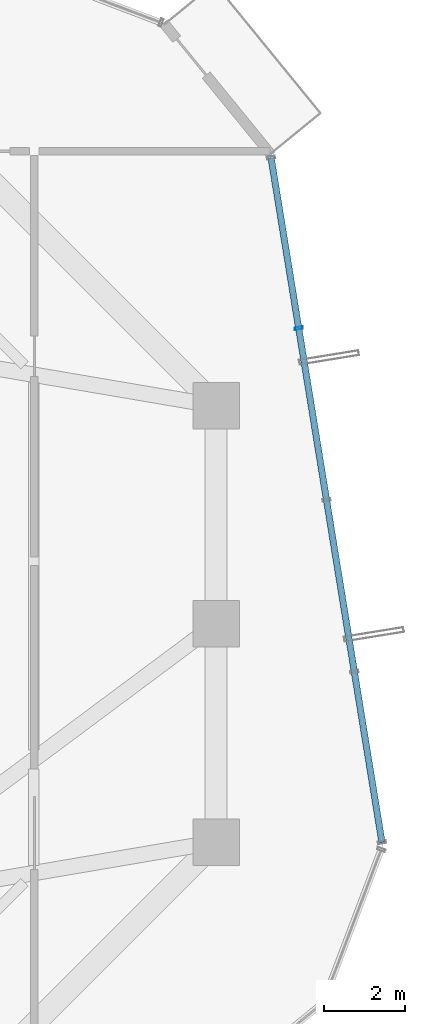
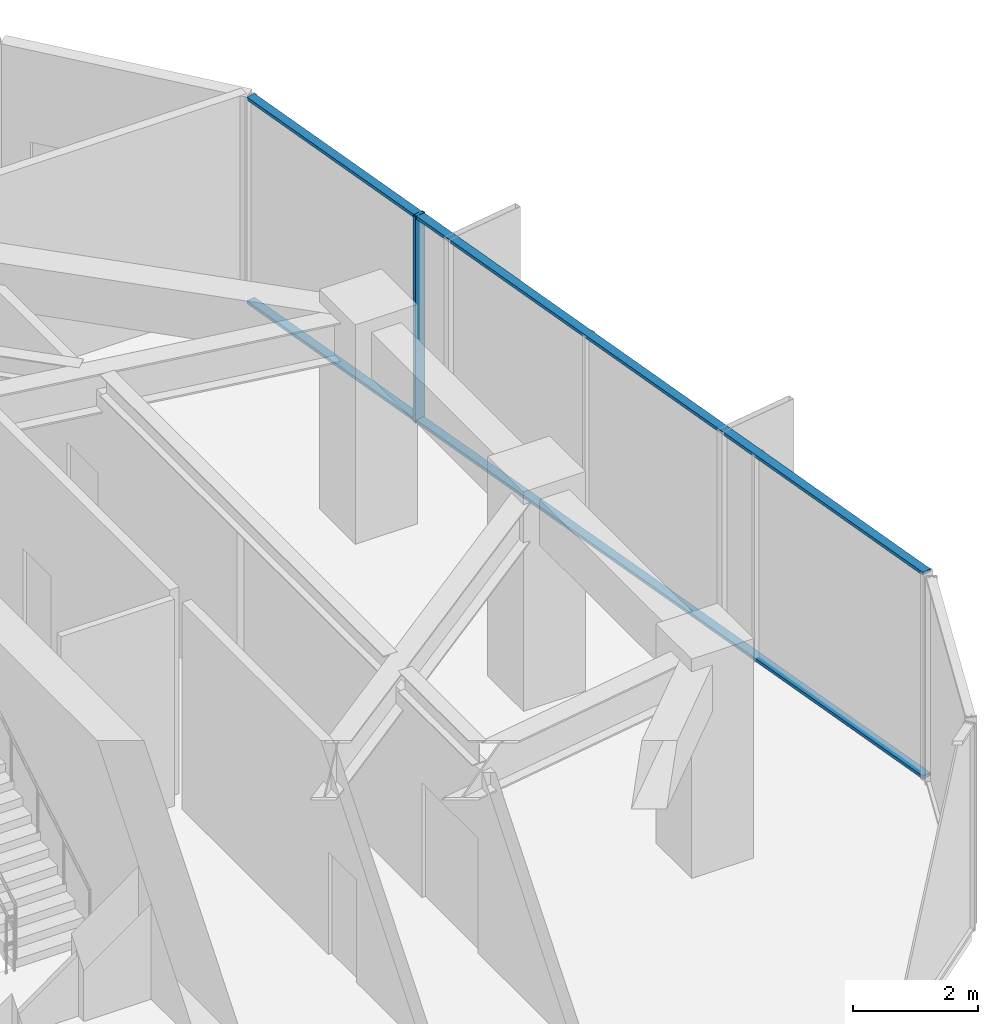
# One storey, part 14 of 26: 3 members, 1 element without a shape of its own.
"""IFC4 building model written with IfcOpenShell, lengths in metres."""

from ifc_helpers import new_model, si_unit, direction, frame, origin, origin_2d, place, context, subcontext, project, spatial, hollow_rectangle, extrude, source, transform, mapped, material, layer, layer_set, material_profile, profile_set, type_object, element, aggregate, save


model = new_model("IFC4")

# Units and contexts
model_context = context("Model", 3, precision=1e-05, world=origin(), true_north=direction((0.0, 1.0)))
body_context = subcontext(model_context, "Body", "Model", "MODEL_VIEW")
ifc_project = project(units=[si_unit("LENGTHUNIT", "METRE"), si_unit("AREAUNIT", "SQUARE_METRE"), si_unit("VOLUMEUNIT", "CUBIC_METRE"), si_unit("PLANEANGLEUNIT", "RADIAN"), si_unit("MASSUNIT", "GRAM", prefix="KILO")], contexts=[model_context])

# Site, building, storey
site_placement = place(None, origin())
site = spatial("IfcSite", under=ifc_project, at=site_placement, CompositionType="ELEMENT")
building_placement = place(site_placement, origin())
building = spatial("IfcBuilding", under=site, at=building_placement, Name="Veraguas Prism Commons", CompositionType="ELEMENT")
storey_placement = place(building_placement, frame((0.0, 0.0, 158.75)))
storey = spatial("IfcBuildingStorey", under=building, at=storey_placement, Name="L45", CompositionType="ELEMENT", Elevation=158.75)

# Curtain wall, members
ifc_material = material(Name="Anodised aluminium EN AW-6063 T6", Category="aluminium")
ifc_layer = layer(ifc_material, 0.199951171875, Name="Sky Lobby and Pool Acoustic Curtain Wall", Category="aluminium")
ifc_layer_set = layer_set([ifc_layer], Name="Anodised aluminium EN AW-6063 T6")
curtain_wall_type = type_object("IfcCurtainWallType", Name="Sky Lobby and Pool Acoustic Curtain Wall", PredefinedType="NOTDEFINED", material=ifc_layer_set)
curtain_wall_placement = place(storey_placement, origin())
curtain_wall = element("IfcCurtainWall", 1, at=curtain_wall_placement, inside=storey, type_object=curtain_wall_type, Name="Tower Facade Curtain Wall L45-F6", PredefinedType="NOTDEFINED")
ifc_material_profile_1 = material_profile(ifc_material, hollow_rectangle(XDim=0.06494140625, YDim=0.199951171875, WallThickness=0.00390625, at=origin_2d()), Name="AL65X200X4")
ifc_profile_set_1 = profile_set([ifc_material_profile_1], Name="Anodised aluminium EN AW-6063 T6")
member_type_1 = type_object("IfcMemberType", Name="Curtain Wall Mullion Heavy AL 65x200x4", PredefinedType="MULLION", material=ifc_profile_set_1)
shared_shape_1 = source(origin(), body_context, "Body", "SweptSolid", [
    extrude(hollow_rectangle(XDim=0.06494140625, YDim=0.199951171875, WallThickness=0.00390625, at=origin_2d()), origin(), (0.0, 0.0, 1.0), 4.050048828125),
])
member_1_placement = place(storey_placement, frame((42.246826171875, 31.320068359375, 0.0), z_axis=(0.0, 0.0, 1.0), x_axis=(-0.159877741935, 0.987136823158, 0.0)))
member_1 = element("IfcMember", 2, at=member_1_placement, type_object=member_type_1, Name="CW-SKY Mullion 4", PredefinedType="MULLION", context=body_context, shape_type="MappedRepresentation", body=[
    mapped(shared_shape_1, transform((0.0, 0.0, 0.0), scale=1.0)),
])
ifc_material_profile_2 = material_profile(ifc_material, hollow_rectangle(XDim=0.06005859375, YDim=0.159912109375, WallThickness=0.0029296875, at=origin_2d()), Name="AL60X160X3")
ifc_profile_set_2 = profile_set([ifc_material_profile_2], Name="Anodised aluminium EN AW-6063 T6")
member_type_2 = type_object("IfcMemberType", Name="Curtain Wall Transom Heavy AL 60x160x3", PredefinedType="USERDEFINED", material=ifc_profile_set_2)
shared_shape_2 = source(origin(), body_context, "Body", "SweptSolid", [
    extrude(hollow_rectangle(XDim=0.06005859375, YDim=0.159912109375, WallThickness=0.0029296875, at=origin_2d()), origin(), (0.0, 0.0, 1.0), 17.169677734375),
])
member_2_placement = place(storey_placement, frame((44.30810546875, 18.592529296875, 0.030029296875), z_axis=(-0.159868571925, 0.987138308299, 0.0), x_axis=(0.0, 0.0, 1.0)))
member_2 = element("IfcMember", 3, at=member_2_placement, type_object=member_type_2, Name="CW-SKY Transom 1", ObjectType="TRANSOM", PredefinedType="USERDEFINED", context=body_context, shape_type="MappedRepresentation", body=[
    mapped(shared_shape_2, transform((0.0, 0.0, 0.0), scale=1.0)),
])
member_3_placement = place(storey_placement, frame((44.30810546875, 18.592529296875, 4.02001953125), z_axis=(-0.159868571925, 0.987138308299, 0.0), x_axis=(0.0, 0.0, 1.0)))
member_3 = element("IfcMember", 4, at=member_3_placement, type_object=member_type_2, Name="CW-SKY Transom 2", ObjectType="TRANSOM", PredefinedType="USERDEFINED", context=body_context, shape_type="MappedRepresentation", body=[
    mapped(shared_shape_2, transform((0.0, 0.0, 0.0), scale=1.0)),
])
aggregate(curtain_wall, [member_1, member_2, member_3])

save(model, "model.ifc")
